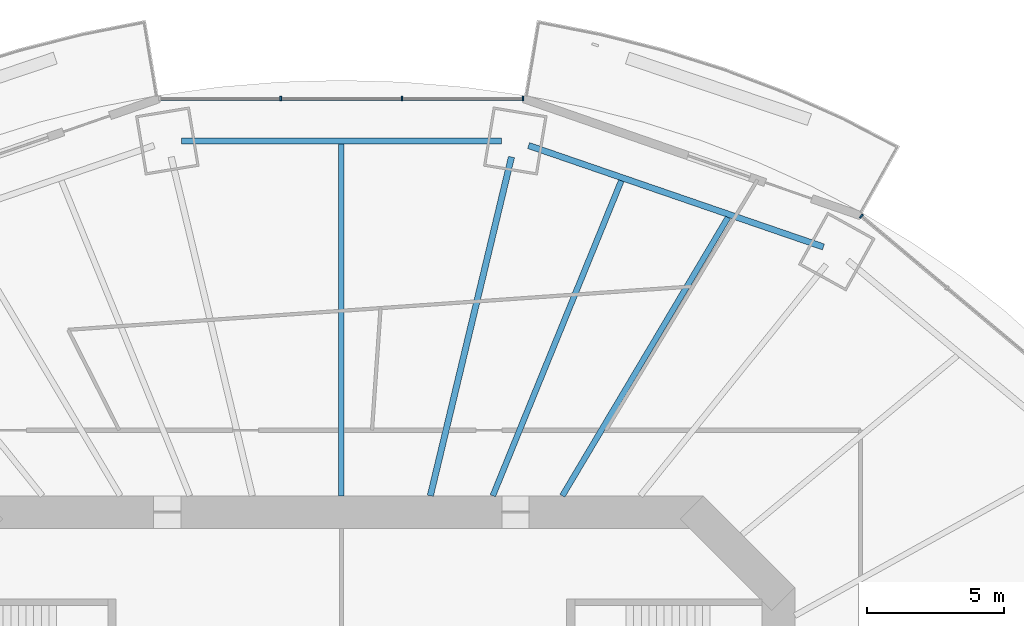
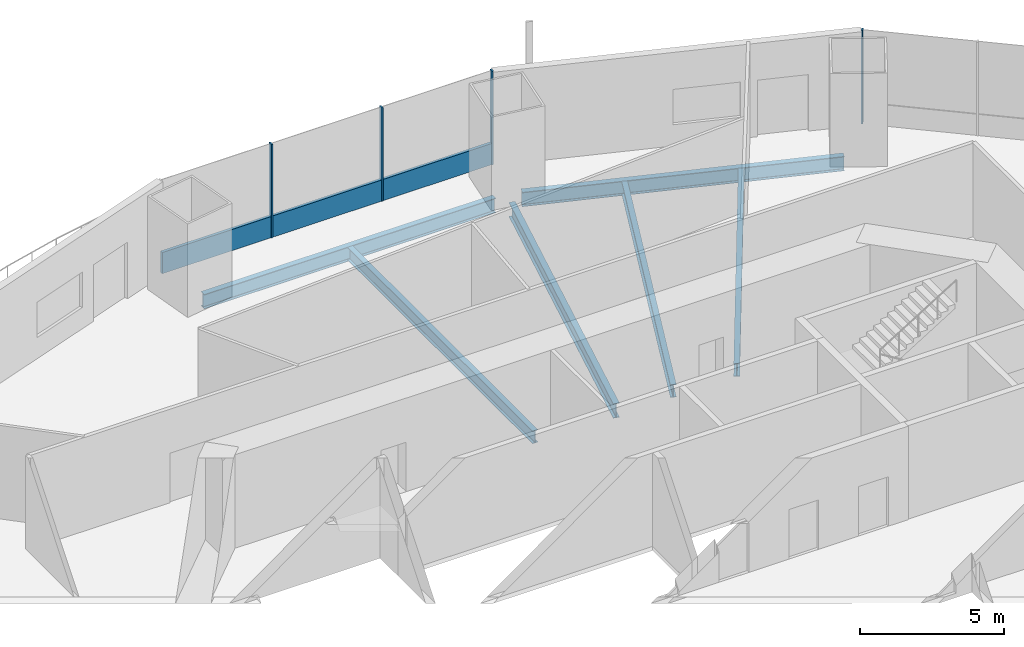
# One storey, part 9 of 22: 6 beams, 5 members, 2 elements without a shape of their own.
"""IFC4 building model written with IfcOpenShell, lengths in metres."""

import ifcopenshell
import ifcopenshell.guid

model = None  # the IFC model being written
_history = None  # IfcOwnerHistory: only IFC2X3 demands one
_inside = {}  # id of a spatial element -> (the spatial element, [elements in it])
_under = {}  # id of a project, library or spatial element -> (it, [spatial elements below it])
_declared = {}  # id of a project -> (the project, [libraries it declares])
_typed = {}  # id of a type object -> (the type object, [elements of that type])
_made_of = {}  # id of a material, layer set ... -> (it, [elements and type objects made of it])


def new_model(schema):
    """Start an empty IFC model of exactly this schema.

    Asked for "IFC4X3", IfcOpenShell would pick the latest addendum, in which some entities
    have other attributes; the version numbers below select the first issue.
    IFC2X3 requires an IfcOwnerHistory on every rooted entity: one is made here for all.
    """
    global model, _history
    if schema == "IFC4X3":
        model = ifcopenshell.file(schema_version=(4, 3, 0, 0))
    else:
        model = ifcopenshell.file(schema=schema)
    _inside.clear()
    _under.clear()
    _declared.clear()
    _typed.clear()
    _made_of.clear()
    _history = None
    if model.schema == "IFC2X3":
        org = make("IfcOrganization", Name="unknown")
        user = make(
            "IfcPersonAndOrganization",
            ThePerson=make("IfcPerson", FamilyName="unknown"),
            TheOrganization=org,
        )
        app = make(
            "IfcApplication",
            ApplicationDeveloper=org,
            Version="unknown",
            ApplicationFullName="unknown",
            ApplicationIdentifier="unknown",
        )
        _history = make(
            "IfcOwnerHistory",
            OwningUser=user,
            OwningApplication=app,
            ChangeAction="ADDED",
            CreationDate=0,
        )
    return model


def make(cls, **values):
    """One entity of the class cls with the attributes given. An attribute that is None is left unset."""
    return model.create_entity(
        cls, **{name: value for name, value in values.items() if value is not None}
    )


def rooted(cls, **values):
    """An entity with a GlobalId (a new one), such as an element, a storey or a relation."""
    return make(cls, GlobalId=ifcopenshell.guid.new(), OwnerHistory=_history, **values)


def si_unit(unit_type, name, prefix=None):
    """IfcSIUnit, for example si_unit("LENGTHUNIT", "METRE", prefix="MILLI")."""
    return make("IfcSIUnit", UnitType=unit_type, Prefix=prefix, Name=name)


def assignment(units):
    """IfcUnitAssignment: the units of a project."""
    return None if units is None else make("IfcUnitAssignment", Units=units)


def point(xyz):
    """IfcCartesianPoint."""
    return None if xyz is None else make("IfcCartesianPoint", Coordinates=xyz)


def direction(xyz):
    """IfcDirection."""
    return None if xyz is None else make("IfcDirection", DirectionRatios=xyz)


def frame(location, z_axis=None, x_axis=None):
    """IfcAxis2Placement3D, a coordinate frame: its origin and axes. An axis left out is left unset."""
    return make(
        "IfcAxis2Placement3D",
        Location=point(location),
        Axis=direction(z_axis),
        RefDirection=direction(x_axis),
    )


def frame_2d(location, x_axis=None):
    """IfcAxis2Placement2D, a coordinate frame in the plane: its origin and x axis."""
    return make(
        "IfcAxis2Placement2D", Location=point(location), RefDirection=direction(x_axis)
    )


def origin():
    """The frame at (0, 0, 0) with its axes left unset."""
    return frame((0.0, 0.0, 0.0))


def origin_2d():
    """The frame at (0, 0) in the plane with its x axis left unset."""
    return frame_2d((0.0, 0.0))


def place(relative_to, where):
    """IfcLocalPlacement: puts the frame where relative to a parent placement (None: the world)."""
    return make(
        "IfcLocalPlacement", PlacementRelTo=relative_to, RelativePlacement=where
    )


def context(
    kind, dimensions, precision=None, world=None, true_north=None, identifier=None
):
    """IfcGeometricRepresentationContext, for example the 3D "Model" context."""
    return make(
        "IfcGeometricRepresentationContext",
        ContextIdentifier=identifier,
        ContextType=kind,
        CoordinateSpaceDimension=dimensions,
        Precision=precision,
        WorldCoordinateSystem=world,
        TrueNorth=true_north,
    )


def subcontext(parent, identifier, kind, view, scale=None):
    """IfcGeometricRepresentationSubContext, for example "Body" below "Model"."""
    return make(
        "IfcGeometricRepresentationSubContext",
        ContextIdentifier=identifier,
        ContextType=kind,
        ParentContext=parent,
        TargetScale=scale,
        TargetView=view,
    )


def project(units=None, contexts=None):
    """IfcProject with its units and contexts."""
    return rooted(
        "IfcProject",
        Name="project",
        RepresentationContexts=contexts,
        UnitsInContext=assignment(units),
    )


def spatial(cls, under=None, at=None, **own):
    """A site, building, storey or space (cls), placed at a placement, below another one or the project."""
    s = rooted(cls, ObjectPlacement=at, **own)
    if under is not None:
        _under.setdefault(under.id(), (under, []))[1].append(s)
    return s


def profile(cls, at=None, kind="AREA", **sizes):
    """A parametric profile (cls). Its sizes go by their IFC names, for example OverallWidth=200.0."""
    return make(cls, ProfileType=kind, Position=at, **sizes)


def rectangle(**sizes):
    """IfcRectangleProfileDef."""
    return profile("IfcRectangleProfileDef", **sizes)


def i_section(**sizes):
    """IfcIShapeProfileDef."""
    return profile("IfcIShapeProfileDef", **sizes)


def extrude(swept, where, along, depth):
    """IfcExtrudedAreaSolid: the profile swept, set in the frame where, extruded along a direction by depth."""
    return make(
        "IfcExtrudedAreaSolid",
        SweptArea=swept,
        Position=where,
        ExtrudedDirection=direction(along),
        Depth=depth,
    )


def shape(context_of_items, identifier, shape_type, items):
    """IfcShapeRepresentation: the items that make up one representation, for example the "Body"."""
    return make(
        "IfcShapeRepresentation",
        ContextOfItems=context_of_items,
        RepresentationIdentifier=identifier,
        RepresentationType=shape_type,
        Items=items,
    )


def material(Name=None, Category=None):
    """IfcMaterial."""
    return make("IfcMaterial", Name=Name, Category=Category)


def material_profile(
    of_material, cross_section, Name=None, Category=None, Priority=None
):
    """IfcMaterialProfile: a cross section and its material."""
    return make(
        "IfcMaterialProfile",
        Name=Name,
        Material=of_material,
        Profile=cross_section,
        Priority=Priority,
        Category=Category,
    )


def profile_set(profiles, Name=None, composite=None):
    """IfcMaterialProfileSet."""
    return make(
        "IfcMaterialProfileSet",
        Name=Name,
        MaterialProfiles=profiles,
        CompositeProfile=composite,
    )


def made_of(thing, what):
    """Note that an element or type object is made of a material, layer set ...; save() writes the relation."""
    if what is not None:
        _made_of.setdefault(what.id(), (what, []))[1].append(thing)
    return thing


def type_object(cls, material=None, **own):
    """A type object (cls), such as IfcWallType, which elements share."""
    return made_of(rooted(cls, **own), material)


def element(
    cls,
    number,
    at=None,
    inside=None,
    cuts=None,
    type_object=None,
    material=None,
    context=None,
    identifier="Body",
    shape_type=None,
    held_by="IfcProductDefinitionShape",
    body=None,
    shapes=None,
    **own,
):
    """One element of the class cls, such as IfcWall. Its Tag is "e" and its number.

    at: its placement. inside: the storey or other place that contains it. cuts: it is an
    opening in that element (IfcRelVoidsElement). A single representation is given by context,
    identifier, shape_type and body (its items); several are given by shapes. held_by: the class
    of the entity that holds the representations. save() writes the other relations.
    """
    e = rooted(cls, Tag="e%d" % number, ObjectPlacement=at, **own)
    if body is not None:
        shapes = [shape(context, identifier, shape_type, body)]
    if shapes is not None:
        e.Representation = make(held_by, Representations=shapes)
    if inside is not None:
        _inside.setdefault(inside.id(), (inside, []))[1].append(e)
    if cuts is not None:
        rooted(
            "IfcRelVoidsElement", RelatingBuildingElement=cuts, RelatedOpeningElement=e
        )
    if type_object is not None:
        _typed.setdefault(type_object.id(), (type_object, []))[1].append(e)
    return made_of(e, material)


def aggregate(whole, parts):
    """IfcRelAggregates: a whole, such as a stair, and the parts it consists of."""
    return rooted("IfcRelAggregates", RelatingObject=whole, RelatedObjects=parts)


def save(model, path):
    """Write the relations noted so far, then the file.

    IfcRelAggregates (storeys below a building ...), IfcRelContainedInSpatialStructure (elements
    in a storey), IfcRelDefinesByType, IfcRelAssociatesMaterial and IfcRelDeclares: one each for
    every whole, place, type object, material and project.
    """
    for whole, parts in _under.values():
        aggregate(whole, parts)
    for where, things in _inside.values():
        rooted(
            "IfcRelContainedInSpatialStructure",
            RelatedElements=things,
            RelatingStructure=where,
        )
    for kind, things in _typed.values():
        rooted("IfcRelDefinesByType", RelatedObjects=things, RelatingType=kind)
    for what, things in _made_of.values():
        rooted("IfcRelAssociatesMaterial", RelatedObjects=things, RelatingMaterial=what)
    for by, libraries in _declared.values():
        rooted("IfcRelDeclares", RelatingContext=by, RelatedDefinitions=libraries)
    model.write(path)


model = new_model("IFC4")

# Units and contexts
model_context = context("Model", 3, precision=1e-05, world=origin(), true_north=direction((0.0, 1.0)))
body_context = subcontext(model_context, "Body", "Model", "MODEL_VIEW")
ifc_project = project(units=[si_unit("LENGTHUNIT", "METRE"), si_unit("AREAUNIT", "SQUARE_METRE"), si_unit("VOLUMEUNIT", "CUBIC_METRE"), si_unit("PLANEANGLEUNIT", "RADIAN"), si_unit("MASSUNIT", "GRAM", prefix="KILO")], contexts=[model_context])

# Site, building, storey
site_placement = place(None, origin())
site = spatial("IfcSite", under=ifc_project, at=site_placement, CompositionType="ELEMENT")
building_placement = place(site_placement, origin())
building = spatial("IfcBuilding", under=site, at=building_placement, Name="Marenthal Gate Tower", CompositionType="ELEMENT")
storey_placement = place(building_placement, frame((0.0, 0.0, 116.0)))
storey = spatial("IfcBuildingStorey", under=building, at=storey_placement, Name="L24", CompositionType="ELEMENT", Elevation=116.0)

# Curtain wall, member
ifc_material_1 = material(Name="Aluminium and glass", Category="aluminium")
curtain_wall_type = type_object("IfcCurtainWallType", Name="Curtain wall typical low", PredefinedType="NOTDEFINED", material=ifc_material_1)
curtain_wall_1_placement = place(storey_placement, origin())
curtain_wall_1 = element("IfcCurtainWall", 1, at=curtain_wall_1_placement, inside=storey, type_object=curtain_wall_type, Name="Curtain wall L24 bay 2", PredefinedType="NOTDEFINED")
ifc_material_2 = material(Name="Aluminium", Category="aluminium")
ifc_material_profile_1 = material_profile(ifc_material_2, rectangle(XDim=0.159912109375, YDim=0.06005859375, at=origin_2d()), Name="60x160 aluminium mullion")
ifc_profile_set_1 = profile_set([ifc_material_profile_1], Name="Aluminium")
member_type_1 = type_object("IfcMemberType", Name="Mullion 60x160 typical low", PredefinedType="MULLION", material=ifc_profile_set_1)
member_1_placement = place(storey_placement, frame((19.037841796875, 23.833984375, 0.0), z_axis=(0.0, 0.0, 1.0), x_axis=(-0.642377082487, -0.766388728972, 0.0)))
member_1 = element("IfcMember", 2, at=member_1_placement, type_object=member_type_1, Name="Mullion L24 bay 2.4", PredefinedType="MULLION", context=body_context, shape_type="SweptSolid", body=[
    extrude(rectangle(XDim=0.159912109375, YDim=0.06005859375, at=origin_2d()), origin(), (0.0, 0.0, 1.0), 3.969970703125),
])
aggregate(curtain_wall_1, [member_1])

# Curtain wall, members
curtain_wall_2_placement = place(storey_placement, origin())
curtain_wall_2 = element("IfcCurtainWall", 3, at=curtain_wall_2_placement, inside=storey, type_object=curtain_wall_type, Name="Curtain wall L24 bay 4", PredefinedType="NOTDEFINED")
member_2_placement = place(storey_placement, frame((6.647216796875, 28.13671875, 0.0), z_axis=(0.0, 0.0, 1.0), x_axis=(0.0, -1.0, 0.0)))
member_2 = element("IfcMember", 4, at=member_2_placement, type_object=member_type_1, Name="Mullion L24 bay 4.1", PredefinedType="MULLION", context=body_context, shape_type="SweptSolid", body=[
    extrude(rectangle(XDim=0.159912109375, YDim=0.06005859375, at=origin_2d()), origin(), (0.0, 0.0, 1.0), 3.969970703125),
])
member_3_placement = place(storey_placement, frame((2.2158203125, 28.13671875, 0.0), z_axis=(0.0, 0.0, 1.0), x_axis=(0.0, -1.0, 0.0)))
member_3 = element("IfcMember", 5, at=member_3_placement, type_object=member_type_1, Name="Mullion L24 bay 4.2", PredefinedType="MULLION", context=body_context, shape_type="SweptSolid", body=[
    extrude(rectangle(XDim=0.159912109375, YDim=0.06005859375, at=origin_2d()), origin(), (0.0, 0.0, 1.0), 3.969970703125),
])
member_4_placement = place(storey_placement, frame((-2.2158203125, 28.13671875, 0.0), z_axis=(0.0, 0.0, 1.0), x_axis=(0.0, -1.0, 0.0)))
member_4 = element("IfcMember", 6, at=member_4_placement, type_object=member_type_1, Name="Mullion L24 bay 4.3", PredefinedType="MULLION", context=body_context, shape_type="SweptSolid", body=[
    extrude(rectangle(XDim=0.159912109375, YDim=0.06005859375, at=origin_2d()), origin(), (0.0, 0.0, 1.0), 3.969970703125),
])
ifc_material_3 = material(Name="Aluminium", Category="aluminium")
ifc_material_profile_2 = material_profile(ifc_material_3, rectangle(XDim=0.1201171875, YDim=0.89990234375, at=origin_2d()), Name="120x900 aluminium transom")
ifc_profile_set_2 = profile_set([ifc_material_profile_2], Name="Aluminium")
member_type_2 = type_object("IfcMemberType", Name="Transom 120x900 typical low", PredefinedType="USERDEFINED", material=ifc_profile_set_2)
member_5_placement = place(storey_placement, frame((6.6171875, 28.13671875, 0.449951171875), z_axis=(-1.0, 0.0, 0.0), x_axis=(0.0, -1.0, 0.0)))
member_5 = element("IfcMember", 7, at=member_5_placement, type_object=member_type_2, Name="Transom L24 bay 4", ObjectType="TRANSOM", PredefinedType="USERDEFINED", context=body_context, shape_type="SweptSolid", body=[
    extrude(rectangle(XDim=0.1201171875, YDim=0.89990234375, at=origin_2d()), origin(), (0.0, 0.0, 1.0), 13.234375),
])
aggregate(curtain_wall_2, [member_2, member_3, member_4, member_5])

# Beams
ifc_material_4 = material(Name="Steel S355", Category="steel")
ifc_material_profile_3 = material_profile(ifc_material_4, i_section(OverallWidth=0.2119140625, OverallDepth=0.5439453125, WebThickness=0.01318359375, FlangeThickness=0.021240234375, FilletRadius=0.0126953125, at=origin_2d()), Name="W530X123")
ifc_profile_set_3 = profile_set([ifc_material_profile_3], Name="Steel S355")
beam_type_1 = type_object("IfcBeamType", Name="W530X123 beam", PredefinedType="BEAM", material=ifc_profile_set_3)
beam_1_placement = place(storey_placement, frame((14.154541015625, 23.7880859375, -0.451904296875), z_axis=(-0.511357862228, -0.859367870436, 0.0), x_axis=(0.859367870436, -0.511357862228, 0.0)))
element("IfcBeam", 8, at=beam_1_placement, inside=storey, type_object=beam_type_1, Name="BM-L24-20", PredefinedType="BEAM", context=body_context, shape_type="SweptSolid", body=[
    extrude(i_section(OverallWidth=0.2119140625, OverallDepth=0.5439453125, WebThickness=0.01318359375, FlangeThickness=0.021240234375, FilletRadius=0.0126953125, at=origin_2d()), origin(), (0.0, 0.0, 1.0), 11.855224609375),
])
beam_2_placement = place(storey_placement, frame((10.248291015625, 25.131591796875, -0.451904296875), z_axis=(-0.377598266022, -0.925969518665, 0.0), x_axis=(0.925969518665, -0.377598266022, 0.0)))
element("IfcBeam", 9, at=beam_2_placement, inside=storey, type_object=beam_type_1, Name="BM-L24-21", PredefinedType="BEAM", context=body_context, shape_type="SweptSolid", body=[
    extrude(i_section(OverallWidth=0.2119140625, OverallDepth=0.5439453125, WebThickness=0.01318359375, FlangeThickness=0.021240234375, FilletRadius=0.0126953125, at=origin_2d()), origin(), (0.0, 0.0, 1.0), 12.453369140625),
])
beam_3_placement = place(storey_placement, frame((0.0, 26.47265625, -0.451904296875), z_axis=(0.0, -1.0, 0.0), x_axis=(1.0, 0.0, 0.0)))
element("IfcBeam", 10, at=beam_3_placement, inside=storey, type_object=beam_type_1, Name="BM-L24-22", PredefinedType="BEAM", context=body_context, shape_type="SweptSolid", body=[
    extrude(i_section(OverallWidth=0.2119140625, OverallDepth=0.5439453125, WebThickness=0.01318359375, FlangeThickness=0.021240234375, FilletRadius=0.0126953125, at=origin_2d()), origin(), (0.0, 0.0, 1.0), 12.87255859375),
])
ifc_material_5 = material(Name="Steel S355", Category="steel")
ifc_material_profile_4 = material_profile(ifc_material_5, i_section(OverallWidth=0.22900390625, OverallDepth=0.612060546875, WebThickness=0.011962890625, FlangeThickness=0.01953125, FilletRadius=0.0126953125, at=origin_2d()), Name="W610X125")
ifc_profile_set_4 = profile_set([ifc_material_profile_4], Name="Steel S355")
beam_type_2 = type_object("IfcBeamType", Name="W610X125 beam", PredefinedType="BEAM", material=ifc_profile_set_4)
beam_4_placement = place(storey_placement, frame((6.228515625, 26.000732421875, -0.486083984375), z_axis=(-0.232968867139, -0.972484193673, 0.0), x_axis=(0.972484193673, -0.232968867139, 0.0)))
element("IfcBeam", 11, at=beam_4_placement, inside=storey, type_object=beam_type_2, Name="BM-L24-04", PredefinedType="BEAM", context=body_context, shape_type="SweptSolid", body=[
    extrude(i_section(OverallWidth=0.22900390625, OverallDepth=0.612060546875, WebThickness=0.011962890625, FlangeThickness=0.01953125, FilletRadius=0.0126953125, at=origin_2d()), origin(), (0.0, 0.0, 1.0), 12.75146484375),
])
beam_5_placement = place(storey_placement, frame((17.649658203125, 22.707275390625, -0.486083984375), z_axis=(-0.945631108542, 0.325241151391, 0.0), x_axis=(-0.325241151391, -0.945631108542, 0.0)))
element("IfcBeam", 12, at=beam_5_placement, inside=storey, type_object=beam_type_2, Name="BM-L24-43", PredefinedType="BEAM", context=body_context, shape_type="SweptSolid", body=[
    extrude(i_section(OverallWidth=0.22900390625, OverallDepth=0.612060546875, WebThickness=0.011962890625, FlangeThickness=0.01953125, FilletRadius=0.0126953125, at=origin_2d()), origin(), (0.0, 0.0, 1.0), 11.4150390625),
])
beam_6_placement = place(storey_placement, frame((5.85546875, 26.587158203125, -0.486083984375), z_axis=(-1.0, 0.0, 0.0), x_axis=(0.0, -1.0, 0.0)))
element("IfcBeam", 13, at=beam_6_placement, inside=storey, type_object=beam_type_2, Name="BM-L24-44", PredefinedType="BEAM", context=body_context, shape_type="SweptSolid", body=[
    extrude(i_section(OverallWidth=0.22900390625, OverallDepth=0.612060546875, WebThickness=0.011962890625, FlangeThickness=0.01953125, FilletRadius=0.0126953125, at=origin_2d()), origin(), (0.0, 0.0, 1.0), 11.7109375),
])

save(model, "model.ifc")
